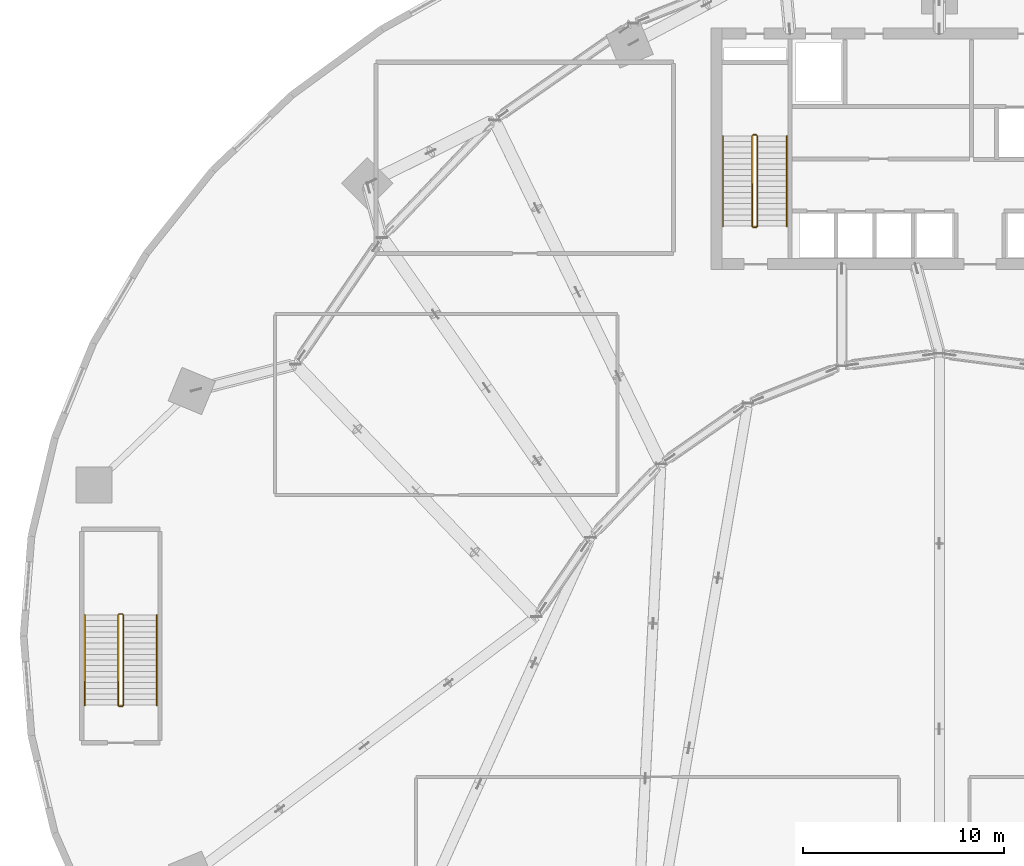
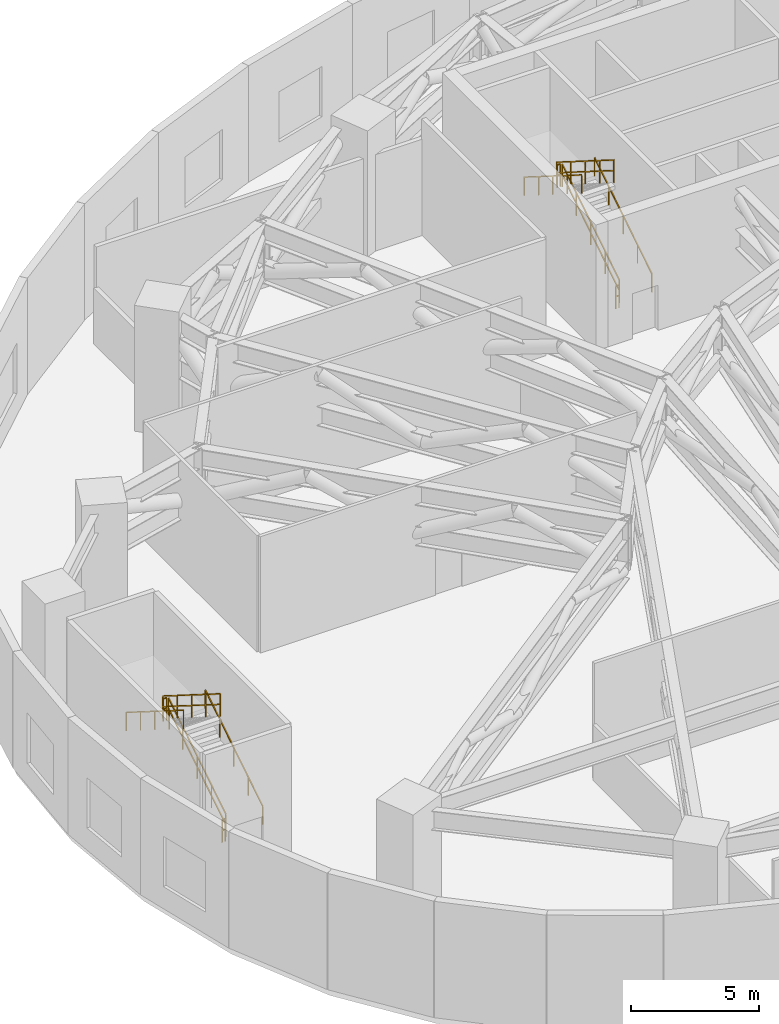
# One storey, part 18 of 19: 12 railings.
"""IFC4 building model written with IfcOpenShell, lengths in metres."""

from ifc_helpers import new_model, si_unit, direction, frame, origin, origin_2d, place, context, subcontext, project, spatial, rectangle, extrude, material, type_object, element, save


model = new_model("IFC4")

# Units and contexts
model_context = context("Model", 3, precision=1e-05, world=origin(), true_north=direction((0.0, 1.0)))
body_context = subcontext(model_context, "Body", "Model", "MODEL_VIEW")
ifc_project = project(units=[si_unit("LENGTHUNIT", "METRE"), si_unit("AREAUNIT", "SQUARE_METRE"), si_unit("VOLUMEUNIT", "CUBIC_METRE"), si_unit("PLANEANGLEUNIT", "RADIAN"), si_unit("MASSUNIT", "GRAM", prefix="KILO")], contexts=[model_context])

# Site, building, storey
site_placement = place(None, origin())
site = spatial("IfcSite", under=ifc_project, at=site_placement, CompositionType="ELEMENT")
building_placement = place(site_placement, origin())
building = spatial("IfcBuilding", under=site, at=building_placement, Name="Breltana Convention Tower", CompositionType="ELEMENT")
storey_placement = place(building_placement, frame((0.0, 0.0, 24.0)))
storey = spatial("IfcBuildingStorey", under=building, at=storey_placement, Name="L04", CompositionType="ELEMENT", Elevation=24.0)

# Railings
ifc_material_1 = material(Name="Steel S275 Painted", Category="steel")
railing_type_1 = type_object("IfcRailingType", Name="RL-STAIR-GUARD-1100", PredefinedType="GUARDRAIL", material=ifc_material_1)
railing_1_placement = place(storey_placement, frame((38.9599609375, 62.360107421875, 0.176513671875)))
element("IfcRailing", 1, at=railing_1_placement, inside=storey, type_object=railing_type_1, Name="L04 ST-1 stair guard 1", PredefinedType="GUARDRAIL", context=body_context, shape_type="SweptSolid", body=[
    extrude(rectangle(XDim=0.048095703125, YDim=0.048095703125, at=origin_2d()), frame((0.0, 0.0, 1.076171875), z_axis=(0.0, 0.845997938375, 0.533186166611), x_axis=(-1.0, 0.0, 0.0)), (0.0, 0.0, 1.0), 5.29541015625),
    extrude(rectangle(XDim=0.048095703125, YDim=0.048095703125, at=origin_2d()), frame((0.0, 0.0, 0.572021484375), z_axis=(0.0, 0.845997938375, 0.533186166611), x_axis=(-1.0, 0.0, 0.0)), (0.0, 0.0, 1.0), 5.29541015625),
    extrude(rectangle(XDim=0.0419921875, YDim=0.0419921875, at=origin_2d()), origin(), (0.0, 0.0, 1.0), 1.052001953125),
    extrude(rectangle(XDim=0.0419921875, YDim=0.0419921875, at=origin_2d()), frame((0.0, 1.1201171875, 0.705810546875)), (0.0, 0.0, 1.0), 1.052001953125),
    extrude(rectangle(XDim=0.0419921875, YDim=0.0419921875, at=origin_2d()), frame((0.0, 2.239990234375, 1.41162109375)), (0.0, 0.0, 1.0), 1.052001953125),
    extrude(rectangle(XDim=0.0419921875, YDim=0.0419921875, at=origin_2d()), frame((0.0, 3.35986328125, 2.11767578125)), (0.0, 0.0, 1.0), 1.052001953125),
    extrude(rectangle(XDim=0.0419921875, YDim=0.0419921875, at=origin_2d()), frame((0.0, 4.47998046875, 2.823486328125)), (0.0, 0.0, 1.0), 1.052001953125),
])
railing_2_placement = place(storey_placement, frame((38.909912109375, 66.889892578125, 3.0)))
element("IfcRailing", 2, at=railing_2_placement, inside=storey, type_object=railing_type_1, Name="L04 ST-1 stair guard 2", PredefinedType="GUARDRAIL", context=body_context, shape_type="SweptSolid", body=[
    extrude(rectangle(XDim=0.048095703125, YDim=0.048095703125, at=origin_2d()), frame((0.0, 0.0, 1.076171875), z_axis=(-1.0, 0.0, 0.0), x_axis=(0.0, -1.0, 0.0)), (0.0, 0.0, 1.0), 0.14990234375),
    extrude(rectangle(XDim=0.048095703125, YDim=0.048095703125, at=origin_2d()), frame((0.0, 0.0, 0.572021484375), z_axis=(-1.0, 0.0, 0.0), x_axis=(0.0, -1.0, 0.0)), (0.0, 0.0, 1.0), 0.14990234375),
    extrude(rectangle(XDim=0.0419921875, YDim=0.0419921875, at=origin_2d()), origin(), (0.0, 0.0, 1.0), 1.052001953125),
    extrude(rectangle(XDim=0.0419921875, YDim=0.0419921875, at=origin_2d()), frame((-0.14990234375, 0.0, 0.0)), (0.0, 0.0, 1.0), 1.052001953125),
])
railing_3_placement = place(storey_placement, frame((38.7099609375, 66.840087890625, 3.176513671875)))
element("IfcRailing", 3, at=railing_3_placement, inside=storey, type_object=railing_type_1, Name="L04 ST-1 stair guard 3", PredefinedType="GUARDRAIL", context=body_context, shape_type="SweptSolid", body=[
    extrude(rectangle(XDim=0.048095703125, YDim=0.048095703125, at=origin_2d()), frame((0.0, 0.0, 1.076171875), z_axis=(0.0, -0.845997938375, 0.533186166611), x_axis=(1.0, 0.0, 0.0)), (0.0, 0.0, 1.0), 5.29541015625),
    extrude(rectangle(XDim=0.048095703125, YDim=0.048095703125, at=origin_2d()), frame((0.0, 0.0, 0.572021484375), z_axis=(0.0, -0.845997938375, 0.533186166611), x_axis=(1.0, 0.0, 0.0)), (0.0, 0.0, 1.0), 5.29541015625),
    extrude(rectangle(XDim=0.0419921875, YDim=0.0419921875, at=origin_2d()), origin(), (0.0, 0.0, 1.0), 1.052001953125),
    extrude(rectangle(XDim=0.0419921875, YDim=0.0419921875, at=origin_2d()), frame((0.0, -1.1201171875, 0.705810546875)), (0.0, 0.0, 1.0), 1.052001953125),
    extrude(rectangle(XDim=0.0419921875, YDim=0.0419921875, at=origin_2d()), frame((0.0, -2.239990234375, 1.41162109375)), (0.0, 0.0, 1.0), 1.052001953125),
    extrude(rectangle(XDim=0.0419921875, YDim=0.0419921875, at=origin_2d()), frame((0.0, -3.35986328125, 2.11767578125)), (0.0, 0.0, 1.0), 1.052001953125),
    extrude(rectangle(XDim=0.0419921875, YDim=0.0419921875, at=origin_2d()), frame((0.0, -4.47998046875, 2.823486328125)), (0.0, 0.0, 1.0), 1.052001953125),
])
railing_4_placement = place(storey_placement, frame((38.909912109375, 62.31005859375, 0.0)))
element("IfcRailing", 4, at=railing_4_placement, inside=storey, type_object=railing_type_1, Name="L04 ST-1 stair guard 4", PredefinedType="GUARDRAIL", context=body_context, shape_type="SweptSolid", body=[
    extrude(rectangle(XDim=0.048095703125, YDim=0.048095703125, at=origin_2d()), frame((0.0, 0.0, 1.076171875), z_axis=(-1.0, 0.0, 0.0), x_axis=(0.0, -1.0, 0.0)), (0.0, 0.0, 1.0), 0.14990234375),
    extrude(rectangle(XDim=0.048095703125, YDim=0.048095703125, at=origin_2d()), frame((0.0, 0.0, 0.572021484375), z_axis=(-1.0, 0.0, 0.0), x_axis=(0.0, -1.0, 0.0)), (0.0, 0.0, 1.0), 0.14990234375),
    extrude(rectangle(XDim=0.0419921875, YDim=0.0419921875, at=origin_2d()), origin(), (0.0, 0.0, 1.0), 1.052001953125),
    extrude(rectangle(XDim=0.0419921875, YDim=0.0419921875, at=origin_2d()), frame((-0.14990234375, 0.0, 0.0)), (0.0, 0.0, 1.0), 1.052001953125),
])
railing_5_placement = place(storey_placement, frame((7.4599609375, 38.56005859375, 0.176513671875)))
element("IfcRailing", 5, at=railing_5_placement, inside=storey, type_object=railing_type_1, Name="L04 ST-3 stair guard 1", PredefinedType="GUARDRAIL", context=body_context, shape_type="SweptSolid", body=[
    extrude(rectangle(XDim=0.048095703125, YDim=0.048095703125, at=origin_2d()), frame((0.0, 0.0, 1.076171875), z_axis=(0.0, 0.845997938375, 0.533186166611), x_axis=(-1.0, 0.0, 0.0)), (0.0, 0.0, 1.0), 5.29541015625),
    extrude(rectangle(XDim=0.048095703125, YDim=0.048095703125, at=origin_2d()), frame((0.0, 0.0, 0.572021484375), z_axis=(0.0, 0.845997938375, 0.533186166611), x_axis=(-1.0, 0.0, 0.0)), (0.0, 0.0, 1.0), 5.29541015625),
    extrude(rectangle(XDim=0.0419921875, YDim=0.0419921875, at=origin_2d()), origin(), (0.0, 0.0, 1.0), 1.052001953125),
    extrude(rectangle(XDim=0.0419921875, YDim=0.0419921875, at=origin_2d()), frame((0.0, 1.1201171875, 0.705810546875)), (0.0, 0.0, 1.0), 1.052001953125),
    extrude(rectangle(XDim=0.0419921875, YDim=0.0419921875, at=origin_2d()), frame((0.0, 2.239990234375, 1.41162109375)), (0.0, 0.0, 1.0), 1.052001953125),
    extrude(rectangle(XDim=0.0419921875, YDim=0.0419921875, at=origin_2d()), frame((0.0, 3.35986328125, 2.11767578125)), (0.0, 0.0, 1.0), 1.052001953125),
    extrude(rectangle(XDim=0.0419921875, YDim=0.0419921875, at=origin_2d()), frame((0.0, 4.47998046875, 2.823486328125)), (0.0, 0.0, 1.0), 1.052001953125),
])
railing_6_placement = place(storey_placement, frame((7.409912109375, 43.090087890625, 3.0)))
element("IfcRailing", 6, at=railing_6_placement, inside=storey, type_object=railing_type_1, Name="L04 ST-3 stair guard 2", PredefinedType="GUARDRAIL", context=body_context, shape_type="SweptSolid", body=[
    extrude(rectangle(XDim=0.048095703125, YDim=0.048095703125, at=origin_2d()), frame((0.0, 0.0, 1.076171875), z_axis=(-1.0, 0.0, 0.0), x_axis=(0.0, -1.0, 0.0)), (0.0, 0.0, 1.0), 0.14990234375),
    extrude(rectangle(XDim=0.048095703125, YDim=0.048095703125, at=origin_2d()), frame((0.0, 0.0, 0.572021484375), z_axis=(-1.0, 0.0, 0.0), x_axis=(0.0, -1.0, 0.0)), (0.0, 0.0, 1.0), 0.14990234375),
    extrude(rectangle(XDim=0.0419921875, YDim=0.0419921875, at=origin_2d()), origin(), (0.0, 0.0, 1.0), 1.052001953125),
    extrude(rectangle(XDim=0.0419921875, YDim=0.0419921875, at=origin_2d()), frame((-0.14990234375, 0.0, 0.0)), (0.0, 0.0, 1.0), 1.052001953125),
])
railing_7_placement = place(storey_placement, frame((7.2099609375, 43.0400390625, 3.176513671875)))
element("IfcRailing", 7, at=railing_7_placement, inside=storey, type_object=railing_type_1, Name="L04 ST-3 stair guard 3", PredefinedType="GUARDRAIL", context=body_context, shape_type="SweptSolid", body=[
    extrude(rectangle(XDim=0.048095703125, YDim=0.048095703125, at=origin_2d()), frame((0.0, 0.0, 1.076171875), z_axis=(0.0, -0.845997938375, 0.533186166611), x_axis=(1.0, 0.0, 0.0)), (0.0, 0.0, 1.0), 5.29541015625),
    extrude(rectangle(XDim=0.048095703125, YDim=0.048095703125, at=origin_2d()), frame((0.0, 0.0, 0.572021484375), z_axis=(0.0, -0.845997938375, 0.533186166611), x_axis=(1.0, 0.0, 0.0)), (0.0, 0.0, 1.0), 5.29541015625),
    extrude(rectangle(XDim=0.0419921875, YDim=0.0419921875, at=origin_2d()), origin(), (0.0, 0.0, 1.0), 1.052001953125),
    extrude(rectangle(XDim=0.0419921875, YDim=0.0419921875, at=origin_2d()), frame((0.0, -1.1201171875, 0.705810546875)), (0.0, 0.0, 1.0), 1.052001953125),
    extrude(rectangle(XDim=0.0419921875, YDim=0.0419921875, at=origin_2d()), frame((0.0, -2.239990234375, 1.41162109375)), (0.0, 0.0, 1.0), 1.052001953125),
    extrude(rectangle(XDim=0.0419921875, YDim=0.0419921875, at=origin_2d()), frame((0.0, -3.35986328125, 2.11767578125)), (0.0, 0.0, 1.0), 1.052001953125),
    extrude(rectangle(XDim=0.0419921875, YDim=0.0419921875, at=origin_2d()), frame((0.0, -4.47998046875, 2.823486328125)), (0.0, 0.0, 1.0), 1.052001953125),
])
railing_8_placement = place(storey_placement, frame((7.409912109375, 38.510009765625, 0.0)))
element("IfcRailing", 8, at=railing_8_placement, inside=storey, type_object=railing_type_1, Name="L04 ST-3 stair guard 4", PredefinedType="GUARDRAIL", context=body_context, shape_type="SweptSolid", body=[
    extrude(rectangle(XDim=0.048095703125, YDim=0.048095703125, at=origin_2d()), frame((0.0, 0.0, 1.076171875), z_axis=(-1.0, 0.0, 0.0), x_axis=(0.0, -1.0, 0.0)), (0.0, 0.0, 1.0), 0.14990234375),
    extrude(rectangle(XDim=0.048095703125, YDim=0.048095703125, at=origin_2d()), frame((0.0, 0.0, 0.572021484375), z_axis=(-1.0, 0.0, 0.0), x_axis=(0.0, -1.0, 0.0)), (0.0, 0.0, 1.0), 0.14990234375),
    extrude(rectangle(XDim=0.0419921875, YDim=0.0419921875, at=origin_2d()), origin(), (0.0, 0.0, 1.0), 1.052001953125),
    extrude(rectangle(XDim=0.0419921875, YDim=0.0419921875, at=origin_2d()), frame((-0.14990234375, 0.0, 0.0)), (0.0, 0.0, 1.0), 1.052001953125),
])
ifc_material_2 = material(Name="Stainless Steel 316L", Category="steel")
railing_type_2 = type_object("IfcRailingType", Name="RL-STAIR-HANDRAIL-900", PredefinedType="HANDRAIL", material=ifc_material_2)
railing_9_placement = place(storey_placement, frame((40.419921875, 62.360107421875, 0.176513671875)))
element("IfcRailing", 9, at=railing_9_placement, inside=storey, type_object=railing_type_2, Name="L04 ST-1 stair handrail 1", PredefinedType="HANDRAIL", context=body_context, shape_type="SweptSolid", body=[
    extrude(rectangle(XDim=0.048095703125, YDim=0.048095703125, at=origin_2d()), frame((0.0, 0.0, 0.8759765625), z_axis=(0.0, 0.845997938375, 0.533186166611), x_axis=(-1.0, 0.0, 0.0)), (0.0, 0.0, 1.0), 5.29541015625),
    extrude(rectangle(XDim=0.0419921875, YDim=0.0419921875, at=origin_2d()), origin(), (0.0, 0.0, 1.0), 0.851806640625),
    extrude(rectangle(XDim=0.0419921875, YDim=0.0419921875, at=origin_2d()), frame((0.0, 1.1201171875, 0.705810546875)), (0.0, 0.0, 1.0), 0.851806640625),
    extrude(rectangle(XDim=0.0419921875, YDim=0.0419921875, at=origin_2d()), frame((0.0, 2.239990234375, 1.41162109375)), (0.0, 0.0, 1.0), 0.851806640625),
    extrude(rectangle(XDim=0.0419921875, YDim=0.0419921875, at=origin_2d()), frame((0.0, 3.35986328125, 2.11767578125)), (0.0, 0.0, 1.0), 0.851806640625),
    extrude(rectangle(XDim=0.0419921875, YDim=0.0419921875, at=origin_2d()), frame((0.0, 4.47998046875, 2.823486328125)), (0.0, 0.0, 1.0), 0.851806640625),
])
railing_10_placement = place(storey_placement, frame((37.25, 66.840087890625, 3.176513671875)))
element("IfcRailing", 10, at=railing_10_placement, inside=storey, type_object=railing_type_2, Name="L04 ST-1 stair handrail 2", PredefinedType="HANDRAIL", context=body_context, shape_type="SweptSolid", body=[
    extrude(rectangle(XDim=0.048095703125, YDim=0.048095703125, at=origin_2d()), frame((0.0, 0.0, 0.8759765625), z_axis=(0.0, -0.845997938375, 0.533186166611), x_axis=(1.0, 0.0, 0.0)), (0.0, 0.0, 1.0), 5.29541015625),
    extrude(rectangle(XDim=0.0419921875, YDim=0.0419921875, at=origin_2d()), origin(), (0.0, 0.0, 1.0), 0.851806640625),
    extrude(rectangle(XDim=0.0419921875, YDim=0.0419921875, at=origin_2d()), frame((0.0, -1.1201171875, 0.705810546875)), (0.0, 0.0, 1.0), 0.851806640625),
    extrude(rectangle(XDim=0.0419921875, YDim=0.0419921875, at=origin_2d()), frame((0.0, -2.239990234375, 1.41162109375)), (0.0, 0.0, 1.0), 0.851806640625),
    extrude(rectangle(XDim=0.0419921875, YDim=0.0419921875, at=origin_2d()), frame((0.0, -3.35986328125, 2.11767578125)), (0.0, 0.0, 1.0), 0.851806640625),
    extrude(rectangle(XDim=0.0419921875, YDim=0.0419921875, at=origin_2d()), frame((0.0, -4.47998046875, 2.823486328125)), (0.0, 0.0, 1.0), 0.851806640625),
])
railing_11_placement = place(storey_placement, frame((9.1201171875, 38.56005859375, 0.176513671875)))
element("IfcRailing", 11, at=railing_11_placement, inside=storey, type_object=railing_type_2, Name="L04 ST-3 stair handrail 1", PredefinedType="HANDRAIL", context=body_context, shape_type="SweptSolid", body=[
    extrude(rectangle(XDim=0.048095703125, YDim=0.048095703125, at=origin_2d()), frame((0.0, 0.0, 0.8759765625), z_axis=(0.0, 0.845997938375, 0.533186166611), x_axis=(-1.0, 0.0, 0.0)), (0.0, 0.0, 1.0), 5.29541015625),
    extrude(rectangle(XDim=0.0419921875, YDim=0.0419921875, at=origin_2d()), origin(), (0.0, 0.0, 1.0), 0.851806640625),
    extrude(rectangle(XDim=0.0419921875, YDim=0.0419921875, at=origin_2d()), frame((0.0, 1.1201171875, 0.705810546875)), (0.0, 0.0, 1.0), 0.851806640625),
    extrude(rectangle(XDim=0.0419921875, YDim=0.0419921875, at=origin_2d()), frame((0.0, 2.239990234375, 1.41162109375)), (0.0, 0.0, 1.0), 0.851806640625),
    extrude(rectangle(XDim=0.0419921875, YDim=0.0419921875, at=origin_2d()), frame((0.0, 3.35986328125, 2.11767578125)), (0.0, 0.0, 1.0), 0.851806640625),
    extrude(rectangle(XDim=0.0419921875, YDim=0.0419921875, at=origin_2d()), frame((0.0, 4.47998046875, 2.823486328125)), (0.0, 0.0, 1.0), 0.851806640625),
])
railing_12_placement = place(storey_placement, frame((5.550048828125, 43.0400390625, 3.176513671875)))
element("IfcRailing", 12, at=railing_12_placement, inside=storey, type_object=railing_type_2, Name="L04 ST-3 stair handrail 2", PredefinedType="HANDRAIL", context=body_context, shape_type="SweptSolid", body=[
    extrude(rectangle(XDim=0.048095703125, YDim=0.048095703125, at=origin_2d()), frame((0.0, 0.0, 0.8759765625), z_axis=(0.0, -0.845997938375, 0.533186166611), x_axis=(1.0, 0.0, 0.0)), (0.0, 0.0, 1.0), 5.29541015625),
    extrude(rectangle(XDim=0.0419921875, YDim=0.0419921875, at=origin_2d()), origin(), (0.0, 0.0, 1.0), 0.851806640625),
    extrude(rectangle(XDim=0.0419921875, YDim=0.0419921875, at=origin_2d()), frame((0.0, -1.1201171875, 0.705810546875)), (0.0, 0.0, 1.0), 0.851806640625),
    extrude(rectangle(XDim=0.0419921875, YDim=0.0419921875, at=origin_2d()), frame((0.0, -2.239990234375, 1.41162109375)), (0.0, 0.0, 1.0), 0.851806640625),
    extrude(rectangle(XDim=0.0419921875, YDim=0.0419921875, at=origin_2d()), frame((0.0, -3.35986328125, 2.11767578125)), (0.0, 0.0, 1.0), 0.851806640625),
    extrude(rectangle(XDim=0.0419921875, YDim=0.0419921875, at=origin_2d()), frame((0.0, -4.47998046875, 2.823486328125)), (0.0, 0.0, 1.0), 0.851806640625),
])

save(model, "model.ifc")
